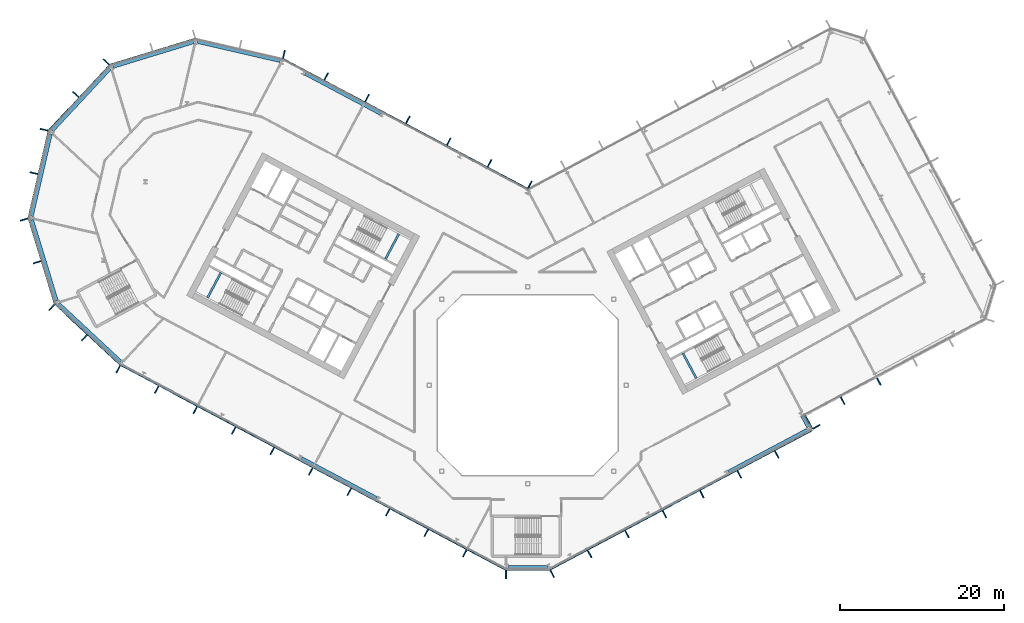
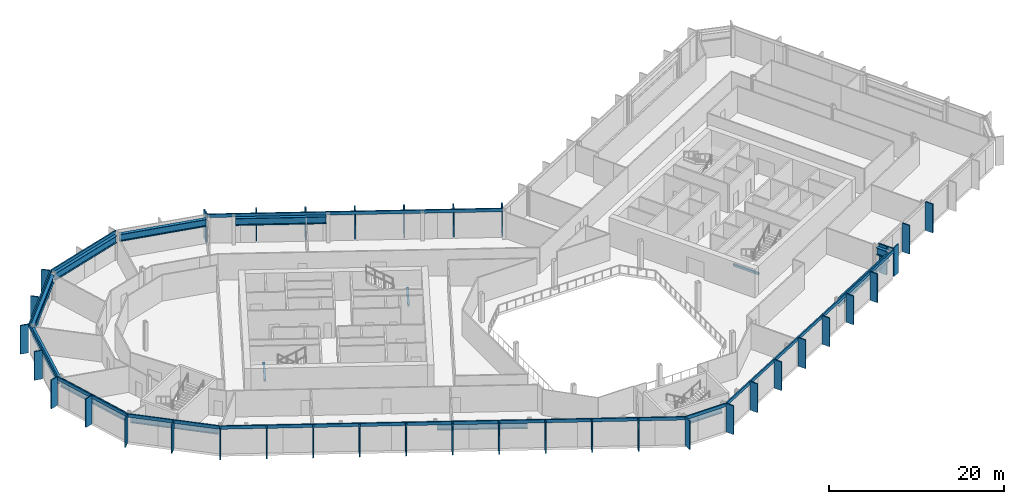
# One storey, part 9 of 28: 47 members, 14 beams, 12 elements without a shape of their own.
"""IFC4 building model written with IfcOpenShell, lengths in metres."""

from ifc_helpers import new_model, si_unit, direction, frame, origin, origin_2d, place, context, subcontext, project, spatial, rectangle, i_section, extrude, material, layer, layer_set, material_profile, profile_set, type_object, element, aggregate, save


model = new_model("IFC4")

# Units and contexts
model_context = context("Model", 3, precision=1e-05, world=origin(), true_north=direction((0.0, 1.0)))
body_context = subcontext(model_context, "Body", "Model", "MODEL_VIEW")
ifc_project = project(units=[si_unit("LENGTHUNIT", "METRE"), si_unit("AREAUNIT", "SQUARE_METRE"), si_unit("VOLUMEUNIT", "CUBIC_METRE"), si_unit("PLANEANGLEUNIT", "RADIAN"), si_unit("MASSUNIT", "GRAM", prefix="KILO")], contexts=[model_context])

# Site, building, storey
site_placement = place(None, origin())
site = spatial("IfcSite", under=ifc_project, at=site_placement, CompositionType="ELEMENT")
building_placement = place(site_placement, origin())
building = spatial("IfcBuilding", under=site, at=building_placement, Name="Cormorant Relay Tower", CompositionType="ELEMENT")
storey_placement = place(building_placement, frame((0.0, 0.0, 122.199951171875)))
storey = spatial("IfcBuildingStorey", under=building, at=storey_placement, Name="L24", CompositionType="ELEMENT", Elevation=122.199951171875)

# Curtain wall, member
ifc_material_1 = material(Name="Aluminium 6063-T6 anodised bronze", Category="aluminium")
ifc_layer = layer(ifc_material_1, 0.199951171875)
ifc_layer_set = layer_set([ifc_layer], Name="CW1 unitised bronze curtain wall with vertical fins")
curtain_wall_type = type_object("IfcCurtainWallType", Name="CW1 unitised bronze curtain wall with vertical fins", PredefinedType="NOTDEFINED", material=ifc_layer_set)
curtain_wall_1_placement = place(storey_placement, origin())
curtain_wall_1 = element("IfcCurtainWall", 1, at=curtain_wall_1_placement, inside=storey, type_object=curtain_wall_type, Name="CW1 curtain wall 1", PredefinedType="NOTDEFINED")
ifc_material_2 = material(Name="Aluminium 6063-T6 anodised bronze", Category="aluminium")
ifc_material_profile_1 = material_profile(ifc_material_2, rectangle(XDim=0.14990234375, YDim=1.0, at=origin_2d()), Name="AL 150x1000")
ifc_profile_set_1 = profile_set([ifc_material_profile_1], Name="Aluminium 6063-T6 anodised bronze")
member_type_1 = type_object("IfcMemberType", Name="CW1 bronze fin mullion 150 x 1000", PredefinedType="MULLION", material=ifc_profile_set_1)
member_1_placement = place(storey_placement, frame((-2.648681640625, -23.07568359375, 0.0), z_axis=(0.0, 0.0, 1.0), x_axis=(1.0, 0.0, 0.0)))
member_1 = element("IfcMember", 2, at=member_1_placement, type_object=member_type_1, Name="CW1 fin 1.1", PredefinedType="MULLION", context=body_context, shape_type="SweptSolid", body=[
    extrude(rectangle(XDim=0.14990234375, YDim=1.0, at=origin_2d()), origin(), (0.0, 0.0, 1.0), 4.0),
])

# Curtain wall, members
curtain_wall_2_placement = place(storey_placement, origin())
curtain_wall_2 = element("IfcCurtainWall", 3, at=curtain_wall_2_placement, inside=storey, type_object=curtain_wall_type, Name="CW1 curtain wall 2", PredefinedType="NOTDEFINED")
member_2_placement = place(storey_placement, frame((2.9775390625, -22.99365234375, 0.0), z_axis=(0.0, 0.0, 1.0), x_axis=(0.882947592859, 0.469471562786, 0.0)))
member_2 = element("IfcMember", 4, at=member_2_placement, type_object=member_type_1, Name="CW1 fin 2.1", PredefinedType="MULLION", context=body_context, shape_type="SweptSolid", body=[
    extrude(rectangle(XDim=0.14990234375, YDim=1.0, at=origin_2d()), origin(), (0.0, 0.0, 1.0), 4.0),
])
member_3_placement = place(storey_placement, frame((7.539306640625, -20.568115234375, 0.0), z_axis=(0.0, 0.0, 1.0), x_axis=(0.882947592859, 0.469471562786, 0.0)))
member_3 = element("IfcMember", 5, at=member_3_placement, type_object=member_type_1, Name="CW1 fin 2.2", PredefinedType="MULLION", context=body_context, shape_type="SweptSolid", body=[
    extrude(rectangle(XDim=0.14990234375, YDim=1.0, at=origin_2d()), origin(), (0.0, 0.0, 1.0), 4.0),
])
member_4_placement = place(storey_placement, frame((12.10107421875, -18.142578125, 0.0), z_axis=(0.0, 0.0, 1.0), x_axis=(0.882947592859, 0.469471562786, 0.0)))
member_4 = element("IfcMember", 6, at=member_4_placement, type_object=member_type_1, Name="CW1 fin 2.3", PredefinedType="MULLION", context=body_context, shape_type="SweptSolid", body=[
    extrude(rectangle(XDim=0.14990234375, YDim=1.0, at=origin_2d()), origin(), (0.0, 0.0, 1.0), 4.0),
])
member_5_placement = place(storey_placement, frame((16.662841796875, -15.717041015625, 0.0), z_axis=(0.0, 0.0, 1.0), x_axis=(0.882947592859, 0.469471562786, 0.0)))
member_5 = element("IfcMember", 7, at=member_5_placement, type_object=member_type_1, Name="CW1 fin 2.4", PredefinedType="MULLION", context=body_context, shape_type="SweptSolid", body=[
    extrude(rectangle(XDim=0.14990234375, YDim=1.0, at=origin_2d()), origin(), (0.0, 0.0, 1.0), 4.0),
])
member_6_placement = place(storey_placement, frame((21.224609375, -13.29150390625, 0.0), z_axis=(0.0, 0.0, 1.0), x_axis=(0.882947592859, 0.469471562786, 0.0)))
member_6 = element("IfcMember", 8, at=member_6_placement, type_object=member_type_1, Name="CW1 fin 2.5", PredefinedType="MULLION", context=body_context, shape_type="SweptSolid", body=[
    extrude(rectangle(XDim=0.14990234375, YDim=1.0, at=origin_2d()), origin(), (0.0, 0.0, 1.0), 4.0),
])
member_7_placement = place(storey_placement, frame((25.78662109375, -10.865966796875, 0.0), z_axis=(0.0, 0.0, 1.0), x_axis=(0.882947592859, 0.469471562786, 0.0)))
member_7 = element("IfcMember", 9, at=member_7_placement, type_object=member_type_1, Name="CW1 fin 2.6", PredefinedType="MULLION", context=body_context, shape_type="SweptSolid", body=[
    extrude(rectangle(XDim=0.14990234375, YDim=1.0, at=origin_2d()), origin(), (0.0, 0.0, 1.0), 4.0),
])
member_8_placement = place(storey_placement, frame((30.348388671875, -8.440185546875, 0.0), z_axis=(0.0, 0.0, 1.0), x_axis=(0.882947592859, 0.469471562786, 0.0)))
member_8 = element("IfcMember", 10, at=member_8_placement, type_object=member_type_1, Name="CW1 fin 2.7", PredefinedType="MULLION", context=body_context, shape_type="SweptSolid", body=[
    extrude(rectangle(XDim=0.14990234375, YDim=1.0, at=origin_2d()), origin(), (0.0, 0.0, 1.0), 4.0),
])

# Curtain wall, member
curtain_wall_3_placement = place(storey_placement, origin())
curtain_wall_3 = element("IfcCurtainWall", 11, at=curtain_wall_3_placement, inside=storey, type_object=curtain_wall_type, Name="CW1 curtain wall 3", PredefinedType="NOTDEFINED")
member_9_placement = place(storey_placement, frame((35.199462890625, -5.068115234375, 0.0), z_axis=(0.0, 0.0, 1.0), x_axis=(-0.469471562786, 0.882947592859, 0.0)))
member_9 = element("IfcMember", 12, at=member_9_placement, type_object=member_type_1, Name="CW1 fin 3.1", PredefinedType="MULLION", context=body_context, shape_type="SweptSolid", body=[
    extrude(rectangle(XDim=0.14990234375, YDim=1.0, at=origin_2d()), origin(), (0.0, 0.0, 1.0), 4.0),
])

# Curtain wall, members
curtain_wall_4_placement = place(storey_placement, origin())
curtain_wall_4 = element("IfcCurtainWall", 13, at=curtain_wall_4_placement, inside=storey, type_object=curtain_wall_type, Name="CW1 curtain wall 4", PredefinedType="NOTDEFINED")
member_10_placement = place(storey_placement, frame((34.037353515625, -4.213623046875, 0.0), z_axis=(0.0, 0.0, 1.0), x_axis=(0.882947592859, 0.469471562786, 0.0)))
member_10 = element("IfcMember", 14, at=member_10_placement, type_object=member_type_1, Name="CW1 fin 4.1", PredefinedType="MULLION", context=body_context, shape_type="SweptSolid", body=[
    extrude(rectangle(XDim=0.14990234375, YDim=1.0, at=origin_2d()), origin(), (0.0, 0.0, 1.0), 4.0),
])
member_11_placement = place(storey_placement, frame((38.385986328125, -1.901611328125, 0.0), z_axis=(0.0, 0.0, 1.0), x_axis=(0.882947592859, 0.469471562786, 0.0)))
member_11 = element("IfcMember", 15, at=member_11_placement, type_object=member_type_1, Name="CW1 fin 4.2", PredefinedType="MULLION", context=body_context, shape_type="SweptSolid", body=[
    extrude(rectangle(XDim=0.14990234375, YDim=1.0, at=origin_2d()), origin(), (0.0, 0.0, 1.0), 4.0),
])
member_12_placement = place(storey_placement, frame((42.800537109375, 0.44580078125, 0.0), z_axis=(0.0, 0.0, 1.0), x_axis=(0.882947592859, 0.469471562786, 0.0)))
member_12 = element("IfcMember", 16, at=member_12_placement, type_object=member_type_1, Name="CW1 fin 4.3", PredefinedType="MULLION", context=body_context, shape_type="SweptSolid", body=[
    extrude(rectangle(XDim=0.14990234375, YDim=1.0, at=origin_2d()), origin(), (0.0, 0.0, 1.0), 4.0),
])
aggregate(curtain_wall_4, [member_10, member_11, member_12])

curtain_wall_5_placement = place(storey_placement, origin())
curtain_wall_5 = element("IfcCurtainWall", 17, at=curtain_wall_5_placement, inside=storey, type_object=curtain_wall_type, Name="CW1 curtain wall 9", PredefinedType="NOTDEFINED")
member_13_placement = place(storey_placement, frame((0.262451171875, 24.437255859375, 0.0), z_axis=(0.0, 0.0, 1.0), x_axis=(-0.882947592859, 0.469471562786, 0.0)))
member_13 = element("IfcMember", 18, at=member_13_placement, type_object=member_type_1, Name="CW1 fin 9.1", PredefinedType="MULLION", context=body_context, shape_type="SweptSolid", body=[
    extrude(rectangle(XDim=0.14990234375, YDim=1.0, at=origin_2d()), origin(), (0.0, 0.0, 1.0), 4.0),
])
member_14_placement = place(storey_placement, frame((-4.650390625, 27.04931640625, 0.0), z_axis=(0.0, 0.0, 1.0), x_axis=(-0.882947592859, 0.469471562786, 0.0)))
member_14 = element("IfcMember", 19, at=member_14_placement, type_object=member_type_1, Name="CW1 fin 9.2", PredefinedType="MULLION", context=body_context, shape_type="SweptSolid", body=[
    extrude(rectangle(XDim=0.14990234375, YDim=1.0, at=origin_2d()), origin(), (0.0, 0.0, 1.0), 4.0),
])
member_15_placement = place(storey_placement, frame((-9.62939453125, 29.69677734375, 0.0), z_axis=(0.0, 0.0, 1.0), x_axis=(-0.882947592859, 0.469471562786, 0.0)))
member_15 = element("IfcMember", 20, at=member_15_placement, type_object=member_type_1, Name="CW1 fin 9.3", PredefinedType="MULLION", context=body_context, shape_type="SweptSolid", body=[
    extrude(rectangle(XDim=0.14990234375, YDim=1.0, at=origin_2d()), origin(), (0.0, 0.0, 1.0), 4.0),
])
member_16_placement = place(storey_placement, frame((-14.608154296875, 32.343994140625, 0.0), z_axis=(0.0, 0.0, 1.0), x_axis=(-0.882947592859, 0.469471562786, 0.0)))
member_16 = element("IfcMember", 21, at=member_16_placement, type_object=member_type_1, Name="CW1 fin 9.4", PredefinedType="MULLION", context=body_context, shape_type="SweptSolid", body=[
    extrude(rectangle(XDim=0.14990234375, YDim=1.0, at=origin_2d()), origin(), (0.0, 0.0, 1.0), 4.0),
])
member_17_placement = place(storey_placement, frame((-19.587158203125, 34.991455078125, 0.0), z_axis=(0.0, 0.0, 1.0), x_axis=(-0.882947592859, 0.469471562786, 0.0)))
member_17 = element("IfcMember", 22, at=member_17_placement, type_object=member_type_1, Name="CW1 fin 9.5", PredefinedType="MULLION", context=body_context, shape_type="SweptSolid", body=[
    extrude(rectangle(XDim=0.14990234375, YDim=1.0, at=origin_2d()), origin(), (0.0, 0.0, 1.0), 4.0),
])
member_18_placement = place(storey_placement, frame((-24.566162109375, 37.638916015625, 0.0), z_axis=(0.0, 0.0, 1.0), x_axis=(-0.882947592859, 0.469471562786, 0.0)))
member_18 = element("IfcMember", 23, at=member_18_placement, type_object=member_type_1, Name="CW1 fin 9.6", PredefinedType="MULLION", context=body_context, shape_type="SweptSolid", body=[
    extrude(rectangle(XDim=0.14990234375, YDim=1.0, at=origin_2d()), origin(), (0.0, 0.0, 1.0), 4.0),
])

# Curtain wall, member
curtain_wall_6_placement = place(storey_placement, origin())
curtain_wall_6 = element("IfcCurtainWall", 24, at=curtain_wall_6_placement, inside=storey, type_object=curtain_wall_type, Name="CW1 curtain wall 10", PredefinedType="NOTDEFINED")
member_19_placement = place(storey_placement, frame((-29.71630859375, 40.35009765625, 0.0), z_axis=(0.0, 0.0, 1.0), x_axis=(-0.974370064785, 0.224951054344, 0.0)))
member_19 = element("IfcMember", 25, at=member_19_placement, type_object=member_type_1, Name="CW1 fin 10.1", PredefinedType="MULLION", context=body_context, shape_type="SweptSolid", body=[
    extrude(rectangle(XDim=0.14990234375, YDim=1.0, at=origin_2d()), origin(), (0.0, 0.0, 1.0), 4.0),
])
aggregate(curtain_wall_6, [member_19])

# Curtain wall, members
curtain_wall_7_placement = place(storey_placement, origin())
curtain_wall_7 = element("IfcCurtainWall", 26, at=curtain_wall_7_placement, inside=storey, type_object=curtain_wall_type, Name="CW1 curtain wall 12", PredefinedType="NOTDEFINED")
member_20_placement = place(storey_placement, frame((-51.372802734375, 39.41259765625, 0.0), z_axis=(0.0, 0.0, 1.0), x_axis=(-0.681998360062, -0.731353701619, 0.0)))
member_20 = element("IfcMember", 27, at=member_20_placement, type_object=member_type_1, Name="CW1 fin 12.1", PredefinedType="MULLION", context=body_context, shape_type="SweptSolid", body=[
    extrude(rectangle(XDim=0.14990234375, YDim=1.0, at=origin_2d()), origin(), (0.0, 0.0, 1.0), 4.0),
])
member_21_placement = place(storey_placement, frame((-55.07958984375, 35.4375, 0.0), z_axis=(0.0, 0.0, 1.0), x_axis=(-0.681998360062, -0.731353701619, 0.0)))
member_21 = element("IfcMember", 28, at=member_21_placement, type_object=member_type_1, Name="CW1 fin 12.2", PredefinedType="MULLION", context=body_context, shape_type="SweptSolid", body=[
    extrude(rectangle(XDim=0.14990234375, YDim=1.0, at=origin_2d()), origin(), (0.0, 0.0, 1.0), 4.0),
])

curtain_wall_8_placement = place(storey_placement, origin())
curtain_wall_8 = element("IfcCurtainWall", 29, at=curtain_wall_8_placement, inside=storey, type_object=curtain_wall_type, Name="CW1 curtain wall 13", PredefinedType="NOTDEFINED")
member_22_placement = place(storey_placement, frame((-58.95654296875, 31.142578125, 0.0), z_axis=(0.0, 0.0, 1.0), x_axis=(-0.224951054344, -0.974370064785, 0.0)))
member_22 = element("IfcMember", 30, at=member_22_placement, type_object=member_type_1, Name="CW1 fin 13.1", PredefinedType="MULLION", context=body_context, shape_type="SweptSolid", body=[
    extrude(rectangle(XDim=0.14990234375, YDim=1.0, at=origin_2d()), origin(), (0.0, 0.0, 1.0), 4.0),
])
member_23_placement = place(storey_placement, frame((-60.17919921875, 25.8466796875, 0.0), z_axis=(0.0, 0.0, 1.0), x_axis=(-0.224951054344, -0.974370064785, 0.0)))
member_23 = element("IfcMember", 31, at=member_23_placement, type_object=member_type_1, Name="CW1 fin 13.2", PredefinedType="MULLION", context=body_context, shape_type="SweptSolid", body=[
    extrude(rectangle(XDim=0.14990234375, YDim=1.0, at=origin_2d()), origin(), (0.0, 0.0, 1.0), 4.0),
])

curtain_wall_9_placement = place(storey_placement, origin())
curtain_wall_9 = element("IfcCurtainWall", 32, at=curtain_wall_9_placement, inside=storey, type_object=curtain_wall_type, Name="CW1 curtain wall 14", PredefinedType="NOTDEFINED")
member_24_placement = place(storey_placement, frame((-61.389404296875, 20.188720703125, 0.0), z_axis=(0.0, 0.0, 1.0), x_axis=(0.292371704723, -0.956304755963, 0.0)))
member_24 = element("IfcMember", 33, at=member_24_placement, type_object=member_type_1, Name="CW1 fin 14.1", PredefinedType="MULLION", context=body_context, shape_type="SweptSolid", body=[
    extrude(rectangle(XDim=0.14990234375, YDim=1.0, at=origin_2d()), origin(), (0.0, 0.0, 1.0), 4.0),
])
member_25_placement = place(storey_placement, frame((-59.80029296875, 14.990966796875, 0.0), z_axis=(0.0, 0.0, 1.0), x_axis=(0.292371704723, -0.956304755963, 0.0)))
member_25 = element("IfcMember", 34, at=member_25_placement, type_object=member_type_1, Name="CW1 fin 14.2", PredefinedType="MULLION", context=body_context, shape_type="SweptSolid", body=[
    extrude(rectangle(XDim=0.14990234375, YDim=1.0, at=origin_2d()), origin(), (0.0, 0.0, 1.0), 4.0),
])

curtain_wall_10_placement = place(storey_placement, origin())
curtain_wall_10 = element("IfcCurtainWall", 35, at=curtain_wall_10_placement, inside=storey, type_object=curtain_wall_type, Name="CW1 curtain wall 15", PredefinedType="NOTDEFINED")
member_26_placement = place(storey_placement, frame((-58.01904296875, 9.486083984375, 0.0), z_axis=(0.0, 0.0, 1.0), x_axis=(0.731353701619, -0.681998360062, 0.0)))
member_26 = element("IfcMember", 36, at=member_26_placement, type_object=member_type_1, Name="CW1 fin 15.1", PredefinedType="MULLION", context=body_context, shape_type="SweptSolid", body=[
    extrude(rectangle(XDim=0.14990234375, YDim=1.0, at=origin_2d()), origin(), (0.0, 0.0, 1.0), 4.0),
])
member_27_placement = place(storey_placement, frame((-54.0439453125, 5.779296875, 0.0), z_axis=(0.0, 0.0, 1.0), x_axis=(0.731353701619, -0.681998360062, 0.0)))
member_27 = element("IfcMember", 37, at=member_27_placement, type_object=member_type_1, Name="CW1 fin 15.2", PredefinedType="MULLION", context=body_context, shape_type="SweptSolid", body=[
    extrude(rectangle(XDim=0.14990234375, YDim=1.0, at=origin_2d()), origin(), (0.0, 0.0, 1.0), 4.0),
])

curtain_wall_11_placement = place(storey_placement, origin())
curtain_wall_11 = element("IfcCurtainWall", 38, at=curtain_wall_11_placement, inside=storey, type_object=curtain_wall_type, Name="CW1 curtain wall 16", PredefinedType="NOTDEFINED")
member_28_placement = place(storey_placement, frame((-49.920166015625, 1.96630859375, 0.0), z_axis=(0.0, 0.0, 1.0), x_axis=(0.882947592859, -0.469471562786, 0.0)))
member_28 = element("IfcMember", 39, at=member_28_placement, type_object=member_type_1, Name="CW1 fin 16.1", PredefinedType="MULLION", context=body_context, shape_type="SweptSolid", body=[
    extrude(rectangle(XDim=0.14990234375, YDim=1.0, at=origin_2d()), origin(), (0.0, 0.0, 1.0), 4.0),
])
member_29_placement = place(storey_placement, frame((-45.225830078125, -0.52978515625, 0.0), z_axis=(0.0, 0.0, 1.0), x_axis=(0.882947592859, -0.469471562786, 0.0)))
member_29 = element("IfcMember", 40, at=member_29_placement, type_object=member_type_1, Name="CW1 fin 16.2", PredefinedType="MULLION", context=body_context, shape_type="SweptSolid", body=[
    extrude(rectangle(XDim=0.14990234375, YDim=1.0, at=origin_2d()), origin(), (0.0, 0.0, 1.0), 4.0),
])
member_30_placement = place(storey_placement, frame((-40.531494140625, -3.025634765625, 0.0), z_axis=(0.0, 0.0, 1.0), x_axis=(0.882947592859, -0.469471562786, 0.0)))
member_30 = element("IfcMember", 41, at=member_30_placement, type_object=member_type_1, Name="CW1 fin 16.3", PredefinedType="MULLION", context=body_context, shape_type="SweptSolid", body=[
    extrude(rectangle(XDim=0.14990234375, YDim=1.0, at=origin_2d()), origin(), (0.0, 0.0, 1.0), 4.0),
])
member_31_placement = place(storey_placement, frame((-35.83740234375, -5.521728515625, 0.0), z_axis=(0.0, 0.0, 1.0), x_axis=(0.882947592859, -0.469471562786, 0.0)))
member_31 = element("IfcMember", 42, at=member_31_placement, type_object=member_type_1, Name="CW1 fin 16.4", PredefinedType="MULLION", context=body_context, shape_type="SweptSolid", body=[
    extrude(rectangle(XDim=0.14990234375, YDim=1.0, at=origin_2d()), origin(), (0.0, 0.0, 1.0), 4.0),
])
member_32_placement = place(storey_placement, frame((-31.14306640625, -8.017578125, 0.0), z_axis=(0.0, 0.0, 1.0), x_axis=(0.882947592859, -0.469471562786, 0.0)))
member_32 = element("IfcMember", 43, at=member_32_placement, type_object=member_type_1, Name="CW1 fin 16.5", PredefinedType="MULLION", context=body_context, shape_type="SweptSolid", body=[
    extrude(rectangle(XDim=0.14990234375, YDim=1.0, at=origin_2d()), origin(), (0.0, 0.0, 1.0), 4.0),
])
member_33_placement = place(storey_placement, frame((-26.44873046875, -10.513671875, 0.0), z_axis=(0.0, 0.0, 1.0), x_axis=(0.882947592859, -0.469471562786, 0.0)))
member_33 = element("IfcMember", 44, at=member_33_placement, type_object=member_type_1, Name="CW1 fin 16.6", PredefinedType="MULLION", context=body_context, shape_type="SweptSolid", body=[
    extrude(rectangle(XDim=0.14990234375, YDim=1.0, at=origin_2d()), origin(), (0.0, 0.0, 1.0), 4.0),
])
member_34_placement = place(storey_placement, frame((-21.754638671875, -13.009765625, 0.0), z_axis=(0.0, 0.0, 1.0), x_axis=(0.882947592859, -0.469471562786, 0.0)))
member_34 = element("IfcMember", 45, at=member_34_placement, type_object=member_type_1, Name="CW1 fin 16.7", PredefinedType="MULLION", context=body_context, shape_type="SweptSolid", body=[
    extrude(rectangle(XDim=0.14990234375, YDim=1.0, at=origin_2d()), origin(), (0.0, 0.0, 1.0), 4.0),
])
member_35_placement = place(storey_placement, frame((-17.060302734375, -15.505615234375, 0.0), z_axis=(0.0, 0.0, 1.0), x_axis=(0.882947592859, -0.469471562786, 0.0)))
member_35 = element("IfcMember", 46, at=member_35_placement, type_object=member_type_1, Name="CW1 fin 16.8", PredefinedType="MULLION", context=body_context, shape_type="SweptSolid", body=[
    extrude(rectangle(XDim=0.14990234375, YDim=1.0, at=origin_2d()), origin(), (0.0, 0.0, 1.0), 4.0),
])
member_36_placement = place(storey_placement, frame((-12.365966796875, -18.001708984375, 0.0), z_axis=(0.0, 0.0, 1.0), x_axis=(0.882947592859, -0.469471562786, 0.0)))
member_36 = element("IfcMember", 47, at=member_36_placement, type_object=member_type_1, Name="CW1 fin 16.9", PredefinedType="MULLION", context=body_context, shape_type="SweptSolid", body=[
    extrude(rectangle(XDim=0.14990234375, YDim=1.0, at=origin_2d()), origin(), (0.0, 0.0, 1.0), 4.0),
])
member_37_placement = place(storey_placement, frame((-7.671630859375, -20.49755859375, 0.0), z_axis=(0.0, 0.0, 1.0), x_axis=(0.882947592859, -0.469471562786, 0.0)))
member_37 = element("IfcMember", 48, at=member_37_placement, type_object=member_type_1, Name="CW1 fin 16.10", PredefinedType="MULLION", context=body_context, shape_type="SweptSolid", body=[
    extrude(rectangle(XDim=0.14990234375, YDim=1.0, at=origin_2d()), origin(), (0.0, 0.0, 1.0), 4.0),
])

# Member
ifc_material_3 = material(Name="Aluminium 6063-T6 anodised bronze", Category="aluminium")
ifc_material_profile_2 = material_profile(ifc_material_3, rectangle(XDim=0.159912109375, YDim=0.449951171875, at=origin_2d()), Name="AL 160x450")
ifc_profile_set_2 = profile_set([ifc_material_profile_2], Name="Aluminium 6063-T6 anodised bronze")
member_type_2 = type_object("IfcMemberType", Name="CW1 bronze transom 160 x 450", PredefinedType="USERDEFINED", material=ifc_profile_set_2)
member_38_placement = place(storey_placement, frame((-2.648681640625, -22.49560546875, 3.775146484375), z_axis=(1.0, 0.0, 0.0), x_axis=(0.0, 1.0, 0.0)))
member_38 = element("IfcMember", 49, at=member_38_placement, type_object=member_type_2, Name="CW1 transom 1", ObjectType="TRANSOM", PredefinedType="USERDEFINED", context=body_context, shape_type="SweptSolid", body=[
    extrude(rectangle(XDim=0.159912109375, YDim=0.449951171875, at=origin_2d()), origin(), (0.0, 0.0, 1.0), 5.29736328125),
])

aggregate(curtain_wall_1, [member_1, member_38])

member_39_placement = place(storey_placement, frame((2.705078125, -22.4814453125, 3.775146484375), z_axis=(0.882948899141, 0.469469106018, 0.0), x_axis=(-0.469469106018, 0.882948899141, 0.0)))
member_39 = element("IfcMember", 50, at=member_39_placement, type_object=member_type_2, Name="CW1 transom 2", ObjectType="TRANSOM", PredefinedType="USERDEFINED", context=body_context, shape_type="SweptSolid", body=[
    extrude(rectangle(XDim=0.159912109375, YDim=0.449951171875, at=origin_2d()), origin(), (0.0, 0.0, 1.0), 36.165771484375),
])

aggregate(curtain_wall_2, [member_2, member_3, member_4, member_5, member_6, member_7, member_8, member_39])

member_40_placement = place(storey_placement, frame((34.6875, -5.34033203125, 3.775146484375), z_axis=(-0.469580583036, 0.88288961713, 0.0), x_axis=(-0.88288961713, -0.469580583036, 0.0)))
member_40 = element("IfcMember", 51, at=member_40_placement, type_object=member_type_2, Name="CW1 transom 3", ObjectType="TRANSOM", PredefinedType="USERDEFINED", context=body_context, shape_type="SweptSolid", body=[
    extrude(rectangle(XDim=0.159912109375, YDim=0.449951171875, at=origin_2d()), origin(), (0.0, 0.0, 1.0), 2.0),
])

aggregate(curtain_wall_3, [member_9, member_40])

member_41_placement = place(storey_placement, frame((0.056396484375, 23.889892578125, 3.775146484375), z_axis=(-0.882946280328, 0.46947403129, 0.0), x_axis=(-0.46947403129, -0.882946280328, 0.0)))
member_41 = element("IfcMember", 52, at=member_41_placement, type_object=member_type_2, Name="CW1 transom 9", ObjectType="TRANSOM", PredefinedType="USERDEFINED", context=body_context, shape_type="SweptSolid", body=[
    extrude(rectangle(XDim=0.159912109375, YDim=0.449951171875, at=origin_2d()), origin(), (0.0, 0.0, 1.0), 33.834228515625),
])

aggregate(curtain_wall_5, [member_13, member_14, member_15, member_16, member_17, member_18, member_41])

# Curtain wall, member
curtain_wall_12_placement = place(storey_placement, origin())
curtain_wall_12 = element("IfcCurtainWall", 53, at=curtain_wall_12_placement, inside=storey, type_object=curtain_wall_type, Name="CW1 curtain wall 11", PredefinedType="NOTDEFINED")
member_42_placement = place(storey_placement, frame((-40.50048828125, 42.228271484375, 3.775146484375), z_axis=(-0.956304833932, -0.292371449698, 0.0), x_axis=(0.292371449698, -0.956304833932, 0.0)))
member_42 = element("IfcMember", 54, at=member_42_placement, type_object=member_type_2, Name="CW1 transom 11", ObjectType="TRANSOM", PredefinedType="USERDEFINED", context=body_context, shape_type="SweptSolid", body=[
    extrude(rectangle(XDim=0.159912109375, YDim=0.449951171875, at=origin_2d()), origin(), (0.0, 0.0, 1.0), 10.87060546875),
])
aggregate(curtain_wall_12, [member_42])

# Member
member_43_placement = place(storey_placement, frame((-50.94873046875, 39.01708984375, 3.775146484375), z_axis=(-0.681993299437, -0.731358420696, 0.0), x_axis=(0.731358420696, -0.681993299437, 0.0)))
member_43 = element("IfcMember", 55, at=member_43_placement, type_object=member_type_2, Name="CW1 transom 12", ObjectType="TRANSOM", PredefinedType="USERDEFINED", context=body_context, shape_type="SweptSolid", body=[
    extrude(rectangle(XDim=0.159912109375, YDim=0.449951171875, at=origin_2d()), origin(), (0.0, 0.0, 1.0), 10.870361328125),
])

aggregate(curtain_wall_7, [member_20, member_21, member_43])

member_44_placement = place(storey_placement, frame((-58.3916015625, 31.01220703125, 3.775146484375), z_axis=(-0.22495136131, -0.974369993916, 0.0), x_axis=(0.974369993916, -0.22495136131, 0.0)))
member_44 = element("IfcMember", 56, at=member_44_placement, type_object=member_type_2, Name="CW1 transom 13", ObjectType="TRANSOM", PredefinedType="USERDEFINED", context=body_context, shape_type="SweptSolid", body=[
    extrude(rectangle(XDim=0.159912109375, YDim=0.449951171875, at=origin_2d()), origin(), (0.0, 0.0, 1.0), 10.870361328125),
])

aggregate(curtain_wall_8, [member_22, member_23, member_44])

member_45_placement = place(storey_placement, frame((-60.834716796875, 20.358154296875, 3.775146484375), z_axis=(0.292377729282, -0.95630291405, 0.0), x_axis=(0.95630291405, 0.292377729282, 0.0)))
member_45 = element("IfcMember", 57, at=member_45_placement, type_object=member_type_2, Name="CW1 transom 14", ObjectType="TRANSOM", PredefinedType="USERDEFINED", context=body_context, shape_type="SweptSolid", body=[
    extrude(rectangle(XDim=0.159912109375, YDim=0.449951171875, at=origin_2d()), origin(), (0.0, 0.0, 1.0), 10.870361328125),
])

aggregate(curtain_wall_9, [member_24, member_25, member_45])

member_46_placement = place(storey_placement, frame((-57.62353515625, 9.91015625, 3.775146484375), z_axis=(0.731358420696, -0.681993299437, 0.0), x_axis=(0.681993299437, 0.731358420696, 0.0)))
member_46 = element("IfcMember", 58, at=member_46_placement, type_object=member_type_2, Name="CW1 transom 15", ObjectType="TRANSOM", PredefinedType="USERDEFINED", context=body_context, shape_type="SweptSolid", body=[
    extrude(rectangle(XDim=0.159912109375, YDim=0.449951171875, at=origin_2d()), origin(), (0.0, 0.0, 1.0), 10.870361328125),
])

aggregate(curtain_wall_10, [member_26, member_27, member_46])

member_47_placement = place(storey_placement, frame((-49.64794921875, 2.478515625, 3.775146484375), z_axis=(0.882947642542, -0.469471469346, 0.0), x_axis=(0.469471469346, 0.882947642542, 0.0)))
member_47 = element("IfcMember", 59, at=member_47_placement, type_object=member_type_2, Name="CW1 transom 16", ObjectType="TRANSOM", PredefinedType="USERDEFINED", context=body_context, shape_type="SweptSolid", body=[
    extrude(rectangle(XDim=0.159912109375, YDim=0.449951171875, at=origin_2d()), origin(), (0.0, 0.0, 1.0), 53.166015625),
])

aggregate(curtain_wall_11, [member_28, member_29, member_30, member_31, member_32, member_33, member_34, member_35, member_36, member_37, member_47])

# Beams
ifc_material_4 = material(Name="Steel ASTM A992 (Fy 345 MPa)", Category="steel")
ifc_material_profile_3 = material_profile(ifc_material_4, i_section(OverallWidth=0.4013671875, OverallDepth=1.000732421875, WebThickness=0.01904296875, FlangeThickness=0.0361328125, FilletRadius=0.02978515625, at=origin_2d()), Name="W1000x371")
ifc_profile_set_3 = profile_set([ifc_material_profile_3], Name="Steel ASTM A992 (Fy 345 MPa)")
beam_type_1 = type_object("IfcBeamType", Name="Spandrel W1000x371", PredefinedType="SPANDREL", material=ifc_profile_set_3)
beam_1_placement = place(storey_placement, frame((-2.35888671875, -22.1748046875, 3.1396484375), z_axis=(1.0, 0.0, 0.0), x_axis=(0.0, 1.0, 0.0)))
element("IfcBeam", 60, at=beam_1_placement, inside=storey, type_object=beam_type_1, Name="Spandrel beam L24-001", PredefinedType="SPANDREL", context=body_context, shape_type="SweptSolid", body=[
    extrude(i_section(OverallWidth=0.4013671875, OverallDepth=1.000732421875, WebThickness=0.01904296875, FlangeThickness=0.0361328125, FilletRadius=0.02978515625, at=origin_2d()), origin(), (0.0, 0.0, 1.0), 4.748046875),
])
beam_2_placement = place(storey_placement, frame((24.427001953125, -10.568603515625, 3.1396484375), z_axis=(0.88295524081, 0.469457178799, 0.0), x_axis=(-0.469457178799, 0.88295524081, 0.0)))
element("IfcBeam", 61, at=beam_2_placement, inside=storey, type_object=beam_type_1, Name="Spandrel beam L24-002", PredefinedType="SPANDREL", context=body_context, shape_type="SweptSolid", body=[
    extrude(i_section(OverallWidth=0.4013671875, OverallDepth=1.000732421875, WebThickness=0.01904296875, FlangeThickness=0.0361328125, FilletRadius=0.02978515625, at=origin_2d()), origin(), (0.0, 0.0, 1.0), 10.915771484375),
])
beam_3_placement = place(storey_placement, frame((34.191650390625, -5.091064453125, 3.1396484375), z_axis=(-0.469471937736, 0.882947393494, 0.0), x_axis=(-0.882947393494, -0.469471937736, 0.0)))
element("IfcBeam", 62, at=beam_3_placement, inside=storey, type_object=beam_type_1, Name="Spandrel beam L24-003", PredefinedType="SPANDREL", context=body_context, shape_type="SweptSolid", body=[
    extrude(i_section(OverallWidth=0.4013671875, OverallDepth=1.000732421875, WebThickness=0.01904296875, FlangeThickness=0.0361328125, FilletRadius=0.02978515625, at=origin_2d()), origin(), (0.0, 0.0, 1.0), 1.521728515625),
])
beam_4_placement = place(storey_placement, frame((-17.964599609375, 33.108642578125, 3.1396484375), z_axis=(-0.882946180893, 0.469474218299, 0.0), x_axis=(-0.469474218299, -0.882946180893, 0.0)))
element("IfcBeam", 63, at=beam_4_placement, inside=storey, type_object=beam_type_1, Name="Spandrel beam L24-009", PredefinedType="SPANDREL", context=body_context, shape_type="SweptSolid", body=[
    extrude(i_section(OverallWidth=0.4013671875, OverallDepth=1.000732421875, WebThickness=0.01904296875, FlangeThickness=0.0361328125, FilletRadius=0.02978515625, at=origin_2d()), origin(), (0.0, 0.0, 1.0), 10.388671875),
])
beam_5_placement = place(storey_placement, frame((-30.162109375, 39.52880859375, 3.1396484375), z_axis=(-0.974371727644, 0.224943851591, 0.0), x_axis=(-0.224943851591, -0.974371727644, 0.0)))
element("IfcBeam", 64, at=beam_5_placement, inside=storey, type_object=beam_type_1, Name="Spandrel beam L24-010", PredefinedType="SPANDREL", context=body_context, shape_type="SweptSolid", body=[
    extrude(i_section(OverallWidth=0.4013671875, OverallDepth=1.000732421875, WebThickness=0.01904296875, FlangeThickness=0.0361328125, FilletRadius=0.02978515625, at=origin_2d()), origin(), (0.0, 0.0, 1.0), 10.3583984375),
])
beam_6_placement = place(storey_placement, frame((-40.69140625, 41.834716796875, 3.1396484375), z_axis=(-0.95629714744, -0.292396589921, 0.0), x_axis=(0.292396589921, -0.95629714744, 0.0)))
element("IfcBeam", 65, at=beam_6_placement, inside=storey, type_object=beam_type_1, Name="Spandrel beam L24-011", PredefinedType="SPANDREL", context=body_context, shape_type="SweptSolid", body=[
    extrude(i_section(OverallWidth=0.4013671875, OverallDepth=1.000732421875, WebThickness=0.01904296875, FlangeThickness=0.0361328125, FilletRadius=0.02978515625, at=origin_2d()), origin(), (0.0, 0.0, 1.0), 10.31103515625),
])
beam_7_placement = place(storey_placement, frame((-50.917236328125, 38.58056640625, 3.1396484375), z_axis=(-0.682003508788, -0.731348900321, 0.0), x_axis=(0.731348900321, -0.682003508788, 0.0)))
element("IfcBeam", 66, at=beam_7_placement, inside=storey, type_object=beam_type_1, Name="Spandrel beam L24-012", PredefinedType="SPANDREL", context=body_context, shape_type="SweptSolid", body=[
    extrude(i_section(OverallWidth=0.4013671875, OverallDepth=1.000732421875, WebThickness=0.01904296875, FlangeThickness=0.0361328125, FilletRadius=0.02978515625, at=origin_2d()), origin(), (0.0, 0.0, 1.0), 10.310791015625),
])
for number, where, z_axis, x_axis, name in (
    (67, (-58.14599609375, 30.64990234375, 3.1396484375), (-0.224951162328, -0.974370039855, 0.0), (0.974370039855, -0.224951162328, 0.0), "Spandrel beam L24-013"),
    (68, (-60.44091796875, 20.16748046875, 3.1396484375), (0.292366522639, -0.95630634027, 0.0), (0.95630634027, 0.292366522639, 0.0), "Spandrel beam L24-014"),
):
    element("IfcBeam", number, at=place(storey_placement, frame(where, z_axis=z_axis, x_axis=x_axis)), inside=storey, type_object=beam_type_1, Name=name, PredefinedType="SPANDREL", context=body_context, shape_type="SweptSolid", body=[
        extrude(i_section(OverallWidth=0.4013671875, OverallDepth=1.000732421875, WebThickness=0.01904296875, FlangeThickness=0.0361328125, FilletRadius=0.02978515625, at=origin_2d()), origin(), (0.0, 0.0, 1.0), 10.310302734375),
    ])
beam_8_placement = place(storey_placement, frame((-57.1875, 9.94189453125, 3.1396484375), z_axis=(0.731351225545, -0.682001015317, 0.0), x_axis=(0.682001015317, 0.731351225545, 0.0)))
element("IfcBeam", 69, at=beam_8_placement, inside=storey, type_object=beam_type_1, Name="Spandrel beam L24-015", PredefinedType="SPANDREL", context=body_context, shape_type="SweptSolid", body=[
    extrude(i_section(OverallWidth=0.4013671875, OverallDepth=1.000732421875, WebThickness=0.01904296875, FlangeThickness=0.0361328125, FilletRadius=0.02978515625, at=origin_2d()), origin(), (0.0, 0.0, 1.0), 10.33935546875),
])
beam_9_placement = place(storey_placement, frame((-27.595458984375, -8.8837890625, 3.1396484375), z_axis=(0.882941619164, -0.4694827975, 0.0), x_axis=(0.4694827975, 0.882941619164, 0.0)))
element("IfcBeam", 70, at=beam_9_placement, inside=storey, type_object=beam_type_1, Name="Spandrel beam L24-016", PredefinedType="SPANDREL", context=body_context, shape_type="SweptSolid", body=[
    extrude(i_section(OverallWidth=0.4013671875, OverallDepth=1.000732421875, WebThickness=0.01904296875, FlangeThickness=0.0361328125, FilletRadius=0.02978515625, at=origin_2d()), origin(), (0.0, 0.0, 1.0), 10.388916015625),
])
ifc_material_5 = material(Name="Concrete 50 MPa", Category="concrete")
ifc_material_profile_4 = material_profile(ifc_material_5, rectangle(XDim=0.25, YDim=0.300048828125, at=origin_2d()), Name="RC 250x300")
ifc_profile_set_4 = profile_set([ifc_material_profile_4], Name="Concrete 50 MPa")
beam_type_2 = type_object("IfcBeamType", Name="Stair landing ledge beam 250x300", PredefinedType="BEAM", material=ifc_profile_set_4)
for number, where, z_axis, x_axis, name in (
    (71, (-17.338623046875, 15.3916015625, 1.650146484375), (0.469463917486, 0.882951657895, 0.0), (-0.882951657895, 0.469463917486, 0.0), "A1 landing ledge beam"),
    (72, (-37.404052734375, 13.715576171875, 1.650146484375), (-0.469463917486, -0.882951657895, 0.0), (0.882951657895, -0.469463917486, 0.0), "A2 landing ledge beam"),
    (73, (18.924072265625, 3.8896484375, 1.650146484375), (0.469463917486, -0.882951657895, 0.0), (0.882951657895, 0.469463917486, 0.0), "B1 landing ledge beam"),
):
    element("IfcBeam", number, at=place(storey_placement, frame(where, z_axis=z_axis, x_axis=x_axis)), inside=storey, type_object=beam_type_2, Name=name, PredefinedType="BEAM", context=body_context, shape_type="SweptSolid", body=[
        extrude(rectangle(XDim=0.25, YDim=0.300048828125, at=origin_2d()), origin(), (0.0, 0.0, 1.0), 3.449951171875),
    ])

save(model, "model.ifc")
